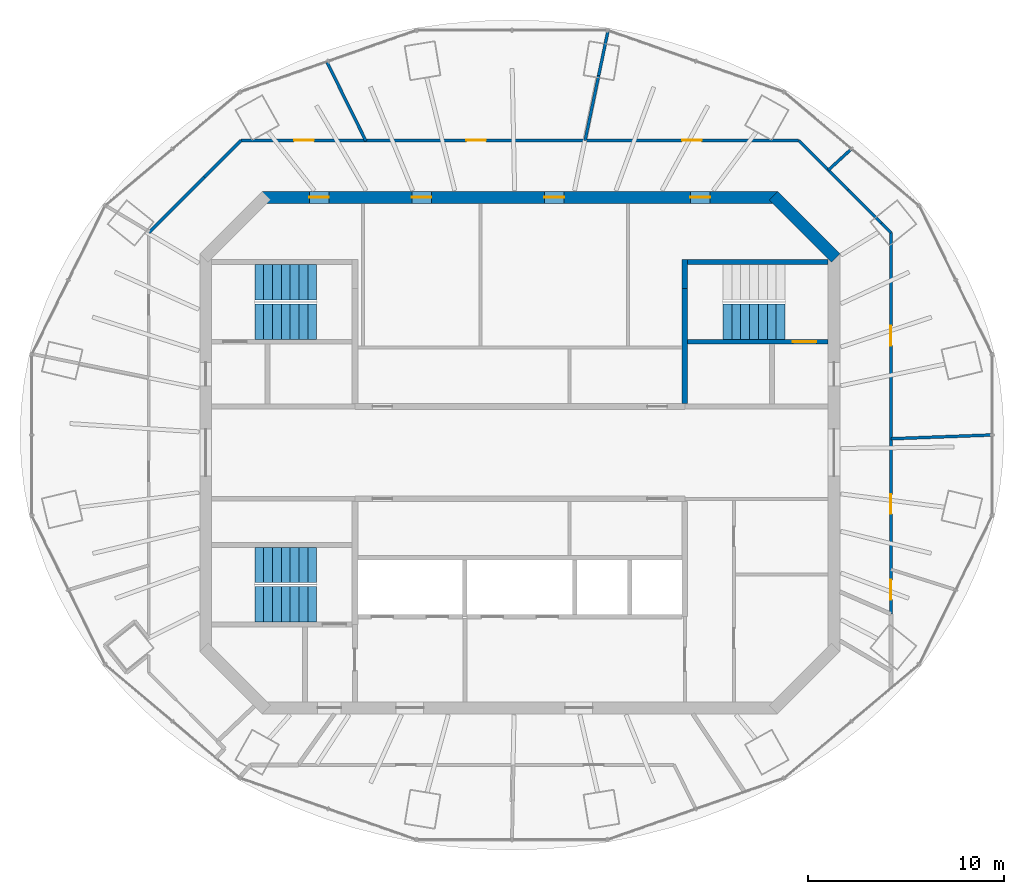
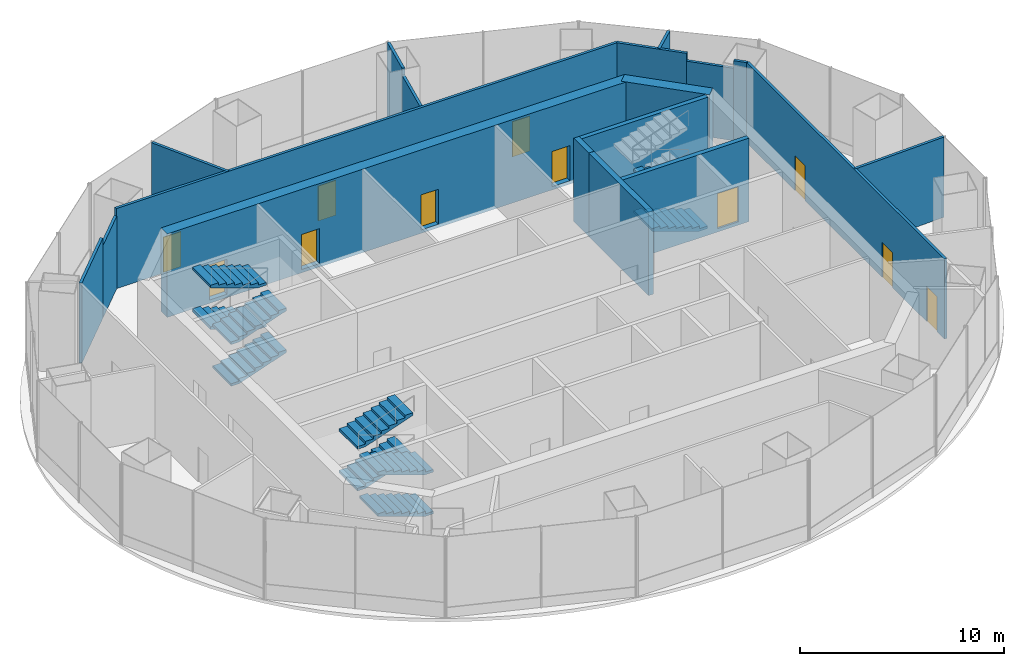
# One storey, part 10 of 12: 18 walls, 11 doors, 10 stair flights, 11 openings, 3 elements without a shape of their own.
"""IFC4 building model written with IfcOpenShell, lengths in metres."""

from ifc_helpers import new_model, si_unit, direction, frame, frame_2d, origin, place, context, subcontext, project, spatial, polyline, rectangle, outline, extrude, material, layer, layer_set, type_object, element, fill, aggregate, save


model = new_model("IFC4")

# Units and contexts
model_context = context("Model", 3, precision=1e-05, world=origin(), true_north=direction((0.0, 1.0)))
body_context = subcontext(model_context, "Body", "Model", "MODEL_VIEW")
ifc_project = project(units=[si_unit("LENGTHUNIT", "METRE"), si_unit("AREAUNIT", "SQUARE_METRE"), si_unit("VOLUMEUNIT", "CUBIC_METRE"), si_unit("PLANEANGLEUNIT", "RADIAN"), si_unit("MASSUNIT", "GRAM", prefix="KILO")], contexts=[model_context])

# Site, building, storey
site_placement = place(None, origin())
site = spatial("IfcSite", under=ifc_project, at=site_placement, CompositionType="ELEMENT")
building_placement = place(site_placement, origin())
building = spatial("IfcBuilding", under=site, at=building_placement, Name="Marenthal Gate Tower", CompositionType="ELEMENT")
storey_placement = place(building_placement, frame((0.0, 0.0, 413.550048828125)))
storey = spatial("IfcBuildingStorey", under=building, at=storey_placement, Name="L93", CompositionType="ELEMENT", Elevation=413.550048828125)

# Wall
ifc_material_1 = material(Name="Concrete 60 MPa", Category="concrete")
ifc_layer_1 = layer(ifc_material_1, 0.60009765625)
ifc_layer_set_1 = layer_set([ifc_layer_1], Name="Core shear wall 600")
wall_type_1 = type_object("IfcWallType", Name="Core shear wall 600", PredefinedType="SHEAR", material=ifc_layer_set_1)
wall_1_placement = place(storey_placement, frame((16.087890625, 9.912109375, -0.199951171875), z_axis=(0.0, 0.0, 1.0), x_axis=(-0.707106781187, 0.707106781187, 0.0)))
element("IfcWall", 1, at=wall_1_placement, inside=storey, type_object=wall_type_1, Name="Core wall 03", PredefinedType="SHEAR", context=body_context, shape_type="SweptSolid", body=[
    extrude(rectangle(XDim=4.4912109375, YDim=0.60009765625, at=frame_2d((2.24560546875, 0.0))), origin(), (0.0, 0.0, 1.0), 5.0),
])

# Wall, openings, doors
wall_2_placement = place(storey_placement, frame((13.124267578125, 13.0, -0.199951171875), z_axis=(0.0, 0.0, 1.0), x_axis=(-1.0, 0.0, 0.0)))
wall_2 = element("IfcWall", 2, at=wall_2_placement, inside=storey, type_object=wall_type_1, Name="Core wall 04", PredefinedType="SHEAR", context=body_context, shape_type="SweptSolid", body=[
    extrude(rectangle(XDim=26.24853515625, YDim=0.60009765625, at=frame_2d((13.124267578125, 0.0))), origin(), (0.0, 0.0, 1.0), 5.0),
])
opening_1_placement = place(wall_2_placement, frame((22.8486328125, 0.0, 0.199951171875)))
opening_1 = element("IfcOpeningElement", 3, at=opening_1_placement, cuts=wall_2, Name="Opening D005.03", PredefinedType="OPENING", context=body_context, shape_type="SweptSolid", body=[
    extrude(rectangle(XDim=1.0, YDim=2.10009765625, at=frame_2d((0.5, 1.050048828125))), frame((0.0, 0.31005859375, 0.0), z_axis=(0.0, -1.0, 0.0), x_axis=(1.0, 0.0, 0.0)), (0.0, 0.0, 1.0), 0.6201171875),
])
opening_2_placement = place(wall_2_placement, frame((17.624267578125, 0.0, 0.199951171875)))
opening_2 = element("IfcOpeningElement", 4, at=opening_2_placement, cuts=wall_2, Name="Opening D005.04", PredefinedType="OPENING", context=body_context, shape_type="SweptSolid", body=[
    extrude(rectangle(XDim=1.0, YDim=2.10009765625, at=frame_2d((0.5, 1.050048828125))), frame((0.0, 0.31005859375, 0.0), z_axis=(0.0, -1.0, 0.0), x_axis=(1.0, 0.0, 0.0)), (0.0, 0.0, 1.0), 0.6201171875),
])
opening_3_placement = place(wall_2_placement, frame((10.874267578125, 0.0, 0.199951171875)))
opening_3 = element("IfcOpeningElement", 5, at=opening_3_placement, cuts=wall_2, Name="Opening D005.05", PredefinedType="OPENING", context=body_context, shape_type="SweptSolid", body=[
    extrude(rectangle(XDim=1.0, YDim=2.10009765625, at=frame_2d((0.5, 1.050048828125))), frame((0.0, 0.31005859375, 0.0), z_axis=(0.0, -1.0, 0.0), x_axis=(1.0, 0.0, 0.0)), (0.0, 0.0, 1.0), 0.6201171875),
])
opening_4_placement = place(wall_2_placement, frame((3.436279296875, 0.0, 0.199951171875)))
opening_4 = element("IfcOpeningElement", 6, at=opening_4_placement, cuts=wall_2, Name="Opening D005.06", PredefinedType="OPENING", context=body_context, shape_type="SweptSolid", body=[
    extrude(rectangle(XDim=1.0, YDim=2.10009765625, at=frame_2d((0.5, 1.050048828125))), frame((0.0, 0.31005859375, 0.0), z_axis=(0.0, -1.0, 0.0), x_axis=(1.0, 0.0, 0.0)), (0.0, 0.0, 1.0), 0.6201171875),
])
ifc_material_2 = material(Name="Steel fire door", Category="steel")
door_type_1 = type_object("IfcDoorType", Name="Fire door FD 45 1000 x 2100", OperationType="NOTDEFINED", PredefinedType="DOOR", material=ifc_material_2)
door_1_placement = place(opening_1_placement, origin())
door_1 = element("IfcDoor", 7, at=door_1_placement, inside=storey, type_object=door_type_1, Name="Door D005.03", OperationType="SINGLE_SWING_RIGHT", OverallHeight=2.10009765625, OverallWidth=1.0, PredefinedType="DOOR", context=body_context, shape_type="SweptSolid", body=[
    extrude(rectangle(XDim=1.0, YDim=2.10009765625, at=frame_2d((0.5, 1.050048828125))), frame((0.0, 0.02490234375, 0.0), z_axis=(0.0, -1.0, 0.0), x_axis=(1.0, 0.0, 0.0)), (0.0, 0.0, 1.0), 0.050048828125),
])
fill(opening_1, door_1)
door_2_placement = place(opening_2_placement, origin())
door_2 = element("IfcDoor", 8, at=door_2_placement, inside=storey, type_object=door_type_1, Name="Door D005.04", OperationType="SINGLE_SWING_RIGHT", OverallHeight=2.10009765625, OverallWidth=1.0, PredefinedType="DOOR", context=body_context, shape_type="SweptSolid", body=[
    extrude(rectangle(XDim=1.0, YDim=2.10009765625, at=frame_2d((0.5, 1.050048828125))), frame((0.0, 0.02490234375, 0.0), z_axis=(0.0, -1.0, 0.0), x_axis=(1.0, 0.0, 0.0)), (0.0, 0.0, 1.0), 0.050048828125),
])
fill(opening_2, door_2)
door_3_placement = place(opening_3_placement, origin())
door_3 = element("IfcDoor", 9, at=door_3_placement, inside=storey, type_object=door_type_1, Name="Door D005.05", OperationType="SINGLE_SWING_RIGHT", OverallHeight=2.10009765625, OverallWidth=1.0, PredefinedType="DOOR", context=body_context, shape_type="SweptSolid", body=[
    extrude(rectangle(XDim=1.0, YDim=2.10009765625, at=frame_2d((0.5, 1.050048828125))), frame((0.0, 0.02490234375, 0.0), z_axis=(0.0, -1.0, 0.0), x_axis=(1.0, 0.0, 0.0)), (0.0, 0.0, 1.0), 0.050048828125),
])
fill(opening_3, door_3)
door_4_placement = place(opening_4_placement, origin())
door_4 = element("IfcDoor", 10, at=door_4_placement, inside=storey, type_object=door_type_1, Name="Door D005.06", OperationType="SINGLE_SWING_RIGHT", OverallHeight=2.10009765625, OverallWidth=1.0, PredefinedType="DOOR", context=body_context, shape_type="SweptSolid", body=[
    extrude(rectangle(XDim=1.0, YDim=2.10009765625, at=frame_2d((0.5, 1.050048828125))), frame((0.0, 0.02490234375, 0.0), z_axis=(0.0, -1.0, 0.0), x_axis=(1.0, 0.0, 0.0)), (0.0, 0.0, 1.0), 0.050048828125),
])
fill(opening_4, door_4)

# Wall
ifc_material_3 = material(Name="Concrete 50 MPa", Category="concrete")
ifc_layer_2 = layer(ifc_material_3, 0.300048828125)
ifc_layer_set_2 = layer_set([ifc_layer_2], Name="Hoistway shear wall 300")
wall_type_2 = type_object("IfcWallType", Name="Hoistway shear wall 300", PredefinedType="SHEAR", material=ifc_layer_set_2)
wall_3_placement = place(storey_placement, frame((8.39990234375, 2.5, -0.199951171875), z_axis=(0.0, 0.0, 1.0), x_axis=(0.0, 1.0, 0.0)))
element("IfcWall", 11, at=wall_3_placement, inside=storey, type_object=wall_type_2, Name="Hoistway wall 43", PredefinedType="SHEAR", context=body_context, shape_type="SweptSolid", body=[
    extrude(rectangle(XDim=5.85009765625, YDim=0.300048828125, at=frame_2d((2.925048828125, 0.0))), origin(), (0.0, 0.0, 1.0), 5.0),
])

# Wall, openings, doors
ifc_material_4 = material(Name="Gypsum board on steel studs", Category="steel")
ifc_layer_3 = layer(ifc_material_4, 0.14990234375)
ifc_layer_set_3 = layer_set([ifc_layer_3], Name="Partition 150")
wall_type_3 = type_object("IfcWallType", Name="Partition 150", PredefinedType="PARTITIONING", material=ifc_layer_set_3)
wall_4_placement = place(storey_placement, frame((-14.201416015625, 15.89990234375, 0.0), z_axis=(0.0, 0.0, 1.0), x_axis=(1.0, 0.0, 0.0)))
wall_4 = element("IfcWall", 12, at=wall_4_placement, inside=storey, type_object=wall_type_3, Name="Partition wall 48", PredefinedType="PARTITIONING", context=body_context, shape_type="SweptSolid", body=[
    extrude(rectangle(XDim=28.40283203125, YDim=0.14990234375, at=frame_2d((14.201416015625, 0.0))), origin(), (0.0, 0.0, 1.0), 4.800048828125),
])
opening_5_placement = place(wall_4_placement, frame((22.46337890625, 0.0, 0.0)))
opening_5 = element("IfcOpeningElement", 13, at=opening_5_placement, cuts=wall_4, Name="Opening D005.12", PredefinedType="OPENING", context=body_context, shape_type="SweptSolid", body=[
    extrude(rectangle(XDim=1.0, YDim=2.10009765625, at=frame_2d((0.5, 1.050048828125))), frame((0.0, 0.0849609375, 0.0), z_axis=(0.0, -1.0, 0.0), x_axis=(1.0, 0.0, 0.0)), (0.0, 0.0, 1.0), 0.169921875),
])
opening_6_placement = place(wall_4_placement, frame((11.471923828125, 0.0, 0.0)))
opening_6 = element("IfcOpeningElement", 14, at=opening_6_placement, cuts=wall_4, Name="Opening D005.13", PredefinedType="OPENING", context=body_context, shape_type="SweptSolid", body=[
    extrude(rectangle(XDim=1.0, YDim=2.10009765625, at=frame_2d((0.5, 1.050048828125))), frame((0.0, 0.0849609375, 0.0), z_axis=(0.0, -1.0, 0.0), x_axis=(1.0, 0.0, 0.0)), (0.0, 0.0, 1.0), 0.169921875),
])
opening_7_placement = place(wall_4_placement, frame((2.709716796875, 0.0, 0.0)))
opening_7 = element("IfcOpeningElement", 15, at=opening_7_placement, cuts=wall_4, Name="Opening D005.14", PredefinedType="OPENING", context=body_context, shape_type="SweptSolid", body=[
    extrude(rectangle(XDim=1.0, YDim=2.10009765625, at=frame_2d((0.5, 1.050048828125))), frame((0.0, 0.0849609375, 0.0), z_axis=(0.0, -1.0, 0.0), x_axis=(1.0, 0.0, 0.0)), (0.0, 0.0, 1.0), 0.169921875),
])
door_5_placement = place(opening_5_placement, origin())
door_5 = element("IfcDoor", 16, at=door_5_placement, inside=storey, type_object=door_type_1, Name="Door D005.12", OperationType="SINGLE_SWING_RIGHT", OverallHeight=2.10009765625, OverallWidth=1.0, PredefinedType="DOOR", context=body_context, shape_type="SweptSolid", body=[
    extrude(rectangle(XDim=1.0, YDim=2.10009765625, at=frame_2d((0.5, 1.050048828125))), frame((0.0, 0.02490234375, 0.0), z_axis=(0.0, -1.0, 0.0), x_axis=(1.0, 0.0, 0.0)), (0.0, 0.0, 1.0), 0.050048828125),
])
fill(opening_5, door_5)
door_6_placement = place(opening_6_placement, origin())
door_6 = element("IfcDoor", 17, at=door_6_placement, inside=storey, type_object=door_type_1, Name="Door D005.13", OperationType="SINGLE_SWING_RIGHT", OverallHeight=2.10009765625, OverallWidth=1.0, PredefinedType="DOOR", context=body_context, shape_type="SweptSolid", body=[
    extrude(rectangle(XDim=1.0, YDim=2.10009765625, at=frame_2d((0.5, 1.050048828125))), frame((0.0, 0.02490234375, 0.0), z_axis=(0.0, -1.0, 0.0), x_axis=(1.0, 0.0, 0.0)), (0.0, 0.0, 1.0), 0.050048828125),
])
fill(opening_6, door_6)
door_7_placement = place(opening_7_placement, origin())
door_7 = element("IfcDoor", 18, at=door_7_placement, inside=storey, type_object=door_type_1, Name="Door D005.14", OperationType="SINGLE_SWING_RIGHT", OverallHeight=2.10009765625, OverallWidth=1.0, PredefinedType="DOOR", context=body_context, shape_type="SweptSolid", body=[
    extrude(rectangle(XDim=1.0, YDim=2.10009765625, at=frame_2d((0.5, 1.050048828125))), frame((0.0, 0.02490234375, 0.0), z_axis=(0.0, -1.0, 0.0), x_axis=(1.0, 0.0, 0.0)), (0.0, 0.0, 1.0), 0.050048828125),
])
fill(opening_7, door_7)

# Walls
wall_5_placement = place(storey_placement, frame((18.89990234375, 0.70703125, 0.0), z_axis=(0.0, 0.0, 1.0), x_axis=(0.999299991519, 0.037410251951, 0.0)))
element("IfcWall", 19, at=wall_5_placement, inside=storey, type_object=wall_type_3, Name="Partition wall 49", PredefinedType="PARTITIONING", context=body_context, shape_type="SweptSolid", body=[
    extrude(rectangle(XDim=5.142578125, YDim=0.14990234375, at=frame_2d((2.5712890625, 0.0))), origin(), (0.0, 0.0, 1.0), 4.800048828125),
])
wall_6_placement = place(storey_placement, frame((15.711181640625, 14.39013671875, 0.0), z_axis=(0.0, 0.0, 1.0), x_axis=(0.737460947252, 0.675389777298, 0.0)))
element("IfcWall", 20, at=wall_6_placement, inside=storey, type_object=wall_type_3, Name="Partition wall 53", PredefinedType="PARTITIONING", context=body_context, shape_type="SweptSolid", body=[
    extrude(rectangle(XDim=1.585205078125, YDim=0.14990234375, at=frame_2d((0.79248046875, 0.0))), origin(), (0.0, 0.0, 1.0), 4.800048828125),
])
wall_7_placement = place(storey_placement, frame((-18.89990234375, 11.201171875, 0.0), z_axis=(0.0, 0.0, 1.0), x_axis=(0.707106781187, 0.707106781187, 0.0)))
element("IfcWall", 21, at=wall_7_placement, inside=storey, type_object=wall_type_3, Name="Partition wall 54", PredefinedType="PARTITIONING", context=body_context, shape_type="SweptSolid", body=[
    extrude(rectangle(XDim=3.998779296875, YDim=0.14990234375, at=frame_2d((1.99951171875, 0.0))), origin(), (0.0, 0.0, 1.0), 4.800048828125),
])
wall_8_placement = place(storey_placement, frame((-16.072265625, 14.02880859375, 0.0), z_axis=(0.0, 0.0, 1.0), x_axis=(0.707060644966, 0.707152914397, 0.0)))
element("IfcWall", 22, at=wall_8_placement, inside=storey, type_object=wall_type_3, Name="Partition wall 79", PredefinedType="PARTITIONING", context=body_context, shape_type="SweptSolid", body=[
    extrude(rectangle(XDim=2.64599609375, YDim=0.14990234375, at=frame_2d((1.322998046875, 0.0))), origin(), (0.0, 0.0, 1.0), 4.337890625),
])
wall_9_placement = place(storey_placement, frame((3.322998046875, 15.89990234375, 0.0), z_axis=(0.0, 0.0, 1.0), x_axis=(0.204534536933, 0.978859348018, 0.0)))
element("IfcWall", 23, at=wall_9_placement, inside=storey, type_object=wall_type_3, Name="Partition wall 55", PredefinedType="PARTITIONING", context=body_context, shape_type="SweptSolid", body=[
    extrude(rectangle(XDim=3.376708984375, YDim=0.14990234375, at=frame_2d((1.6884765625, 0.0))), origin(), (0.0, 0.0, 1.0), 4.383056640625),
])
wall_10_placement = place(storey_placement, frame((4.013671875, 19.205322265625, 0.0), z_axis=(0.0, 0.0, 1.0), x_axis=(0.204608200798, 0.978843952919, 0.0)))
element("IfcWall", 24, at=wall_10_placement, inside=storey, type_object=wall_type_3, Name="Partition wall 80", PredefinedType="PARTITIONING", context=body_context, shape_type="SweptSolid", body=[
    extrude(rectangle(XDim=2.32568359375, YDim=0.14990234375, at=frame_2d((1.162841796875, 0.0))), origin(), (0.0, 0.0, 1.0), 4.800048828125),
])

# Wall, openings, doors
wall_11_placement = place(storey_placement, frame((18.89990234375, -8.2158203125, 0.0), z_axis=(0.0, 0.0, 1.0), x_axis=(0.0, 1.0, 0.0)))
wall_11 = element("IfcWall", 25, at=wall_11_placement, inside=storey, type_object=wall_type_3, Name="Partition wall 57", PredefinedType="PARTITIONING", context=body_context, shape_type="SweptSolid", body=[
    extrude(rectangle(XDim=19.417236328125, YDim=0.14990234375, at=frame_2d((9.70849609375, 0.0))), origin(), (0.0, 0.0, 1.0), 4.800048828125),
])
opening_8_placement = place(wall_11_placement, frame((13.669921875, 0.0, 0.0)))
opening_8 = element("IfcOpeningElement", 26, at=opening_8_placement, cuts=wall_11, Name="Opening D005.11", PredefinedType="OPENING", context=body_context, shape_type="SweptSolid", body=[
    extrude(rectangle(XDim=1.0, YDim=2.10009765625, at=frame_2d((0.5, 1.050048828125))), frame((0.0, 0.0849609375, 0.0), z_axis=(0.0, -1.0, 0.0), x_axis=(1.0, 0.0, 0.0)), (0.0, 0.0, 1.0), 0.169921875),
])
opening_9_placement = place(wall_11_placement, frame((0.73046875, 0.0, 0.0)))
opening_9 = element("IfcOpeningElement", 27, at=opening_9_placement, cuts=wall_11, Name="Opening D005.20", PredefinedType="OPENING", context=body_context, shape_type="SweptSolid", body=[
    extrude(rectangle(XDim=1.0, YDim=2.10009765625, at=frame_2d((0.5, 1.050048828125))), frame((0.0, 0.0849609375, 0.0), z_axis=(0.0, -1.0, 0.0), x_axis=(1.0, 0.0, 0.0)), (0.0, 0.0, 1.0), 0.169921875),
])
opening_10_placement = place(wall_11_placement, frame((5.094482421875, 0.0, 0.0)))
opening_10 = element("IfcOpeningElement", 28, at=opening_10_placement, cuts=wall_11, Name="Opening D005.21", PredefinedType="OPENING", context=body_context, shape_type="SweptSolid", body=[
    extrude(rectangle(XDim=1.0, YDim=2.10009765625, at=frame_2d((0.5, 1.050048828125))), frame((0.0, 0.0849609375, 0.0), z_axis=(0.0, -1.0, 0.0), x_axis=(1.0, 0.0, 0.0)), (0.0, 0.0, 1.0), 0.169921875),
])
door_8_placement = place(opening_8_placement, frame((1.0, 0.0, 0.0), z_axis=(0.0, 0.0, 1.0), x_axis=(-1.0, 0.0, 0.0)))
door_8 = element("IfcDoor", 29, at=door_8_placement, inside=storey, type_object=door_type_1, Name="Door D005.11", OperationType="SINGLE_SWING_LEFT", OverallHeight=2.10009765625, OverallWidth=1.0, PredefinedType="DOOR", context=body_context, shape_type="SweptSolid", body=[
    extrude(rectangle(XDim=1.0, YDim=2.10009765625, at=frame_2d((0.5, 1.050048828125))), frame((0.0, 0.02490234375, 0.0), z_axis=(0.0, -1.0, 0.0), x_axis=(1.0, 0.0, 0.0)), (0.0, 0.0, 1.0), 0.050048828125),
])
fill(opening_8, door_8)
door_9_placement = place(opening_9_placement, frame((1.0, 0.0, 0.0), z_axis=(0.0, 0.0, 1.0), x_axis=(-1.0, 0.0, 0.0)))
door_9 = element("IfcDoor", 30, at=door_9_placement, inside=storey, type_object=door_type_1, Name="Door D005.20", OperationType="SINGLE_SWING_LEFT", OverallHeight=2.10009765625, OverallWidth=1.0, PredefinedType="DOOR", context=body_context, shape_type="SweptSolid", body=[
    extrude(rectangle(XDim=1.0, YDim=2.10009765625, at=frame_2d((0.5, 1.050048828125))), frame((0.0, 0.02490234375, 0.0), z_axis=(0.0, -1.0, 0.0), x_axis=(1.0, 0.0, 0.0)), (0.0, 0.0, 1.0), 0.050048828125),
])
fill(opening_9, door_9)
door_10_placement = place(opening_10_placement, frame((1.0, 0.0, 0.0), z_axis=(0.0, 0.0, 1.0), x_axis=(-1.0, 0.0, 0.0)))
door_10 = element("IfcDoor", 31, at=door_10_placement, inside=storey, type_object=door_type_1, Name="Door D005.21", OperationType="SINGLE_SWING_LEFT", OverallHeight=2.10009765625, OverallWidth=1.0, PredefinedType="DOOR", context=body_context, shape_type="SweptSolid", body=[
    extrude(rectangle(XDim=1.0, YDim=2.10009765625, at=frame_2d((0.5, 1.050048828125))), frame((0.0, 0.02490234375, 0.0), z_axis=(0.0, -1.0, 0.0), x_axis=(1.0, 0.0, 0.0)), (0.0, 0.0, 1.0), 0.050048828125),
])
fill(opening_10, door_10)

# Walls
wall_12_placement = place(storey_placement, frame((-7.839111328125, 15.87158203125, 0.0), z_axis=(0.0, 0.0, 1.0), x_axis=(-0.442805191424, 0.896617846381, 0.0)))
element("IfcWall", 32, at=wall_12_placement, inside=storey, type_object=wall_type_3, Name="Partition wall 61", PredefinedType="PARTITIONING", context=body_context, shape_type="SweptSolid", body=[
    extrude(rectangle(XDim=4.480224609375, YDim=0.14990234375, at=frame_2d((2.240234375, 0.0))), origin(), (0.0, 0.0, 1.0), 4.800048828125),
])
wall_13_placement = place(storey_placement, frame((18.89990234375, 11.201171875, 0.0), z_axis=(0.0, 0.0, 1.0), x_axis=(-0.707283756971, 0.706929761097, 0.0)))
element("IfcWall", 33, at=wall_13_placement, inside=storey, type_object=wall_type_3, Name="Partition wall 64", PredefinedType="PARTITIONING", context=body_context, shape_type="SweptSolid", body=[
    extrude(rectangle(XDim=0.689697265625, YDim=0.14990234375, at=frame_2d((0.3447265625, 0.0))), origin(), (0.0, 0.0, 1.0), 4.800048828125),
])
wall_14_placement = place(storey_placement, frame((18.412109375, 11.688720703125, 0.0), z_axis=(0.0, 0.0, 1.0), x_axis=(-0.707055831388, 0.707157727314, 0.0)))
element("IfcWall", 34, at=wall_14_placement, inside=storey, type_object=wall_type_3, Name="Partition wall 82", PredefinedType="PARTITIONING", context=body_context, shape_type="SweptSolid", body=[
    extrude(rectangle(XDim=2.39599609375, YDim=0.14990234375, at=frame_2d((1.197998046875, 0.0))), origin(), (0.0, 0.0, 1.0), 4.337890625),
])
wall_15_placement = place(storey_placement, frame((16.718017578125, 13.383056640625, 0.0), z_axis=(0.0, 0.0, 1.0), x_axis=(-0.70703818665, 0.707175369069, 0.0)))
element("IfcWall", 35, at=wall_15_placement, inside=storey, type_object=wall_type_3, Name="Partition wall 83", PredefinedType="PARTITIONING", context=body_context, shape_type="SweptSolid", body=[
    extrude(rectangle(XDim=3.559326171875, YDim=0.14990234375, at=frame_2d((1.77978515625, 0.0))), origin(), (0.0, 0.0, 1.0), 4.800048828125),
])

# Wall, opening, door
ifc_material_5 = material(Name="Concrete 50 MPa", Category="concrete")
ifc_layer_4 = layer(ifc_material_5, 0.25)
ifc_layer_set_4 = layer_set([ifc_layer_4], Name="Stair shear wall 250")
wall_type_4 = type_object("IfcWallType", Name="Stair shear wall 250", PredefinedType="SHEAR", material=ifc_layer_set_4)
wall_16_placement = place(storey_placement, frame((8.550048828125, 5.64990234375, -0.199951171875), z_axis=(0.0, 0.0, 1.0), x_axis=(1.0, 0.0, 0.0)))
wall_16 = element("IfcWall", 36, at=wall_16_placement, inside=storey, type_object=wall_type_4, Name="Stair wall 23", PredefinedType="SHEAR", context=body_context, shape_type="SweptSolid", body=[
    extrude(rectangle(XDim=7.14990234375, YDim=0.25, at=frame_2d((3.574951171875, 0.0))), origin(), (0.0, 0.0, 1.0), 5.0),
])
opening_11_placement = place(wall_16_placement, frame((5.35009765625, 0.0, 0.199951171875)))
opening_11 = element("IfcOpeningElement", 37, at=opening_11_placement, cuts=wall_16, Name="Opening D001.02", PredefinedType="OPENING", context=body_context, shape_type="SweptSolid", body=[
    extrude(rectangle(XDim=1.199951171875, YDim=2.10009765625, at=frame_2d((0.60009765625, 1.050048828125))), frame((0.0, 0.135009765625, 0.0), z_axis=(0.0, -1.0, 0.0), x_axis=(1.0, 0.0, 0.0)), (0.0, 0.0, 1.0), 0.27001953125),
])
ifc_material_6 = material(Name="Steel fire door", Category="steel")
door_type_2 = type_object("IfcDoorType", Name="Fire door FD 90 1200 x 2100", OperationType="NOTDEFINED", PredefinedType="DOOR", material=ifc_material_6)
door_11_placement = place(opening_11_placement, origin())
door_11 = element("IfcDoor", 38, at=door_11_placement, inside=storey, type_object=door_type_2, Name="Door D001.02", OperationType="SINGLE_SWING_RIGHT", OverallHeight=2.10009765625, OverallWidth=1.199951171875, PredefinedType="DOOR", context=body_context, shape_type="SweptSolid", body=[
    extrude(rectangle(XDim=1.199951171875, YDim=2.10009765625, at=frame_2d((0.60009765625, 1.050048828125))), frame((0.0, 0.02490234375, 0.0), z_axis=(0.0, -1.0, 0.0), x_axis=(1.0, 0.0, 0.0)), (0.0, 0.0, 1.0), 0.050048828125),
])
fill(opening_11, door_11)

# Walls
wall_17_placement = place(storey_placement, frame((8.550048828125, 9.699951171875, -0.199951171875), z_axis=(0.0, 0.0, 1.0), x_axis=(1.0, 0.0, 0.0)))
element("IfcWall", 39, at=wall_17_placement, inside=storey, type_object=wall_type_4, Name="Stair wall 25", PredefinedType="SHEAR", context=body_context, shape_type="SweptSolid", body=[
    extrude(rectangle(XDim=7.14990234375, YDim=0.25, at=frame_2d((3.574951171875, 0.0))), origin(), (0.0, 0.0, 1.0), 5.0),
])
ifc_material_7 = material(Name="Concrete 50 MPa", Category="concrete")
ifc_layer_5 = layer(ifc_material_7, 0.300048828125)
ifc_layer_set_5 = layer_set([ifc_layer_5], Name="Stair shear wall 300")
wall_type_5 = type_object("IfcWallType", Name="Stair shear wall 300", PredefinedType="SHEAR", material=ifc_layer_set_5)
wall_18_placement = place(storey_placement, frame((8.39990234375, 8.35009765625, -0.199951171875), z_axis=(0.0, 0.0, 1.0), x_axis=(0.0, 1.0, 0.0)))
element("IfcWall", 40, at=wall_18_placement, inside=storey, type_object=wall_type_5, Name="Stair wall 44", PredefinedType="SHEAR", context=body_context, shape_type="SweptSolid", body=[
    extrude(rectangle(XDim=1.474853515625, YDim=0.300048828125, at=frame_2d((0.7373046875, 0.0))), origin(), (0.0, 0.0, 1.0), 5.0),
])

# Stair, stair flights
ifc_material_8 = material(Name="Concrete 40 MPa", Category="concrete")
stair_type = type_object("IfcStairType", Name="Exit stair 1800", PredefinedType="HALF_TURN_STAIR", material=ifc_material_8)
stair_1_placement = place(storey_placement, origin())
stair_1 = element("IfcStair", 41, at=stair_1_placement, inside=storey, type_object=stair_type, Name="Stair ST1", PredefinedType="HALF_TURN_STAIR")
ifc_material_9 = material(Name="Concrete 40 MPa", Category="concrete")
stair_flight_type = type_object("IfcStairFlightType", Name="Stair flight 1800", PredefinedType="STRAIGHT", material=ifc_material_9)
stair_flight_1_placement = place(storey_placement, frame((-13.5, 6.675048828125, 0.0), z_axis=(0.0, 0.0, 1.0), x_axis=(1.0, 0.0, 0.0)))
stair_flight_1 = element("IfcStairFlight", 42, at=stair_flight_1_placement, type_object=stair_flight_type, Name="ST1 flight 1", NumberOfRisers=8, NumberOfTreads=7, PredefinedType="STRAIGHT", RiserHeight=0.15625, TreadLength=0.45, context=body_context, shape_type="SweptSolid", body=[
    extrude(outline(polyline([(0.0, 0.0), (0.0, 0.15625), (0.449951171875, 0.15625), (0.449951171875, 0.3125), (0.89990234375, 0.3125), (0.89990234375, 0.46875), (1.35009765625, 0.46875), (1.35009765625, 0.625), (1.800048828125, 0.625), (1.800048828125, 0.78125), (2.25, 0.78125), (2.25, 0.9375), (2.699951171875, 0.9375), (2.699951171875, 1.09375), (3.14990234375, 1.09375), (3.14990234375, 1.25), (3.14990234375, 0.93505859375), (0.45703125, 0.0), (0.0, 0.0)])), frame((0.0, 0.89990234375, 0.0), z_axis=(0.0, -1.0, 0.0), x_axis=(1.0, 0.0, 0.0)), (0.0, 0.0, 1.0), 1.800048828125),
])
stair_flight_2_placement = place(storey_placement, frame((-10.35009765625, 8.675048828125, 1.25), z_axis=(0.0, 0.0, 1.0), x_axis=(-1.0, 0.0, 0.0)))
stair_flight_2 = element("IfcStairFlight", 43, at=stair_flight_2_placement, type_object=stair_flight_type, Name="ST1 flight 2", NumberOfRisers=8, NumberOfTreads=7, PredefinedType="STRAIGHT", RiserHeight=0.15625, TreadLength=0.45, context=body_context, shape_type="SweptSolid", body=[
    extrude(outline(polyline([(0.0, 0.0), (0.0, 0.15625), (0.449951171875, 0.15625), (0.449951171875, 0.3125), (0.89990234375, 0.3125), (0.89990234375, 0.46875), (1.35009765625, 0.46875), (1.35009765625, 0.625), (1.800048828125, 0.625), (1.800048828125, 0.78125), (2.25, 0.78125), (2.25, 0.9375), (2.699951171875, 0.9375), (2.699951171875, 1.09375), (3.14990234375, 1.09375), (3.14990234375, 1.25), (3.14990234375, 0.93505859375), (0.45703125, 0.0), (0.0, 0.0)])), frame((0.0, 0.89990234375, 0.0), z_axis=(0.0, -1.0, 0.0), x_axis=(1.0, 0.0, 0.0)), (0.0, 0.0, 1.0), 1.800048828125),
])
stair_flight_3_placement = place(storey_placement, frame((-13.5, 6.675048828125, 2.5), z_axis=(0.0, 0.0, 1.0), x_axis=(1.0, 0.0, 0.0)))
stair_flight_3 = element("IfcStairFlight", 44, at=stair_flight_3_placement, type_object=stair_flight_type, Name="ST1 flight 3", NumberOfRisers=8, NumberOfTreads=7, PredefinedType="STRAIGHT", RiserHeight=0.15625, TreadLength=0.45, context=body_context, shape_type="SweptSolid", body=[
    extrude(outline(polyline([(0.0, 0.0), (0.0, 0.15625), (0.449951171875, 0.15625), (0.449951171875, 0.3125), (0.89990234375, 0.3125), (0.89990234375, 0.46875), (1.35009765625, 0.46875), (1.35009765625, 0.625), (1.800048828125, 0.625), (1.800048828125, 0.78125), (2.25, 0.78125), (2.25, 0.9375), (2.699951171875, 0.9375), (2.699951171875, 1.09375), (3.14990234375, 1.09375), (3.14990234375, 1.25), (3.14990234375, 0.93505859375), (0.45703125, 0.0), (0.0, 0.0)])), frame((0.0, 0.89990234375, 0.0), z_axis=(0.0, -1.0, 0.0), x_axis=(1.0, 0.0, 0.0)), (0.0, 0.0, 1.0), 1.800048828125),
])
stair_flight_4_placement = place(storey_placement, frame((-10.35009765625, 8.675048828125, 3.75), z_axis=(0.0, 0.0, 1.0), x_axis=(-1.0, 0.0, 0.0)))
stair_flight_4 = element("IfcStairFlight", 45, at=stair_flight_4_placement, type_object=stair_flight_type, Name="ST1 flight 4", NumberOfRisers=8, NumberOfTreads=7, PredefinedType="STRAIGHT", RiserHeight=0.15625, TreadLength=0.45, context=body_context, shape_type="SweptSolid", body=[
    extrude(outline(polyline([(0.0, 0.0), (0.0, 0.15625), (0.449951171875, 0.15625), (0.449951171875, 0.3125), (0.89990234375, 0.3125), (0.89990234375, 0.46875), (1.35009765625, 0.46875), (1.35009765625, 0.625), (1.800048828125, 0.625), (1.800048828125, 0.78125), (2.25, 0.78125), (2.25, 0.9375), (2.699951171875, 0.9375), (2.699951171875, 1.09375), (3.14990234375, 1.09375), (3.14990234375, 1.25), (3.14990234375, 0.93505859375), (0.45703125, 0.0), (0.0, 0.0)])), frame((0.0, 0.89990234375, 0.0), z_axis=(0.0, -1.0, 0.0), x_axis=(1.0, 0.0, 0.0)), (0.0, 0.0, 1.0), 1.800048828125),
])
aggregate(stair_1, [stair_flight_1, stair_flight_2, stair_flight_3, stair_flight_4])

stair_2_placement = place(storey_placement, origin())
stair_2 = element("IfcStair", 46, at=stair_2_placement, inside=storey, type_object=stair_type, Name="Stair ST2", PredefinedType="HALF_TURN_STAIR")
stair_flight_5_placement = place(storey_placement, frame((-10.35009765625, -7.72509765625, 0.0), z_axis=(0.0, 0.0, 1.0), x_axis=(-1.0, 0.0, 0.0)))
stair_flight_5 = element("IfcStairFlight", 47, at=stair_flight_5_placement, type_object=stair_flight_type, Name="ST2 flight 1", NumberOfRisers=8, NumberOfTreads=7, PredefinedType="STRAIGHT", RiserHeight=0.15625, TreadLength=0.45, context=body_context, shape_type="SweptSolid", body=[
    extrude(outline(polyline([(0.0, 0.0), (0.0, 0.15625), (0.449951171875, 0.15625), (0.449951171875, 0.3125), (0.89990234375, 0.3125), (0.89990234375, 0.46875), (1.35009765625, 0.46875), (1.35009765625, 0.625), (1.800048828125, 0.625), (1.800048828125, 0.78125), (2.25, 0.78125), (2.25, 0.9375), (2.699951171875, 0.9375), (2.699951171875, 1.09375), (3.14990234375, 1.09375), (3.14990234375, 1.25), (3.14990234375, 0.93505859375), (0.45703125, 0.0), (0.0, 0.0)])), frame((0.0, 0.89990234375, 0.0), z_axis=(0.0, -1.0, 0.0), x_axis=(1.0, 0.0, 0.0)), (0.0, 0.0, 1.0), 1.800048828125),
])
stair_flight_6_placement = place(storey_placement, frame((-13.5, -5.72509765625, 1.25), z_axis=(0.0, 0.0, 1.0), x_axis=(1.0, 0.0, 0.0)))
stair_flight_6 = element("IfcStairFlight", 48, at=stair_flight_6_placement, type_object=stair_flight_type, Name="ST2 flight 2", NumberOfRisers=8, NumberOfTreads=7, PredefinedType="STRAIGHT", RiserHeight=0.15625, TreadLength=0.45, context=body_context, shape_type="SweptSolid", body=[
    extrude(outline(polyline([(0.0, 0.0), (0.0, 0.15625), (0.449951171875, 0.15625), (0.449951171875, 0.3125), (0.89990234375, 0.3125), (0.89990234375, 0.46875), (1.35009765625, 0.46875), (1.35009765625, 0.625), (1.800048828125, 0.625), (1.800048828125, 0.78125), (2.25, 0.78125), (2.25, 0.9375), (2.699951171875, 0.9375), (2.699951171875, 1.09375), (3.14990234375, 1.09375), (3.14990234375, 1.25), (3.14990234375, 0.93505859375), (0.45703125, 0.0), (0.0, 0.0)])), frame((0.0, 0.89990234375, 0.0), z_axis=(0.0, -1.0, 0.0), x_axis=(1.0, 0.0, 0.0)), (0.0, 0.0, 1.0), 1.800048828125),
])
stair_flight_7_placement = place(storey_placement, frame((-10.35009765625, -7.72509765625, 2.5), z_axis=(0.0, 0.0, 1.0), x_axis=(-1.0, 0.0, 0.0)))
stair_flight_7 = element("IfcStairFlight", 49, at=stair_flight_7_placement, type_object=stair_flight_type, Name="ST2 flight 3", NumberOfRisers=8, NumberOfTreads=7, PredefinedType="STRAIGHT", RiserHeight=0.15625, TreadLength=0.45, context=body_context, shape_type="SweptSolid", body=[
    extrude(outline(polyline([(0.0, 0.0), (0.0, 0.15625), (0.449951171875, 0.15625), (0.449951171875, 0.3125), (0.89990234375, 0.3125), (0.89990234375, 0.46875), (1.35009765625, 0.46875), (1.35009765625, 0.625), (1.800048828125, 0.625), (1.800048828125, 0.78125), (2.25, 0.78125), (2.25, 0.9375), (2.699951171875, 0.9375), (2.699951171875, 1.09375), (3.14990234375, 1.09375), (3.14990234375, 1.25), (3.14990234375, 0.93505859375), (0.45703125, 0.0), (0.0, 0.0)])), frame((0.0, 0.89990234375, 0.0), z_axis=(0.0, -1.0, 0.0), x_axis=(1.0, 0.0, 0.0)), (0.0, 0.0, 1.0), 1.800048828125),
])
stair_flight_8_placement = place(storey_placement, frame((-13.5, -5.72509765625, 3.75), z_axis=(0.0, 0.0, 1.0), x_axis=(1.0, 0.0, 0.0)))
stair_flight_8 = element("IfcStairFlight", 50, at=stair_flight_8_placement, type_object=stair_flight_type, Name="ST2 flight 4", NumberOfRisers=8, NumberOfTreads=7, PredefinedType="STRAIGHT", RiserHeight=0.15625, TreadLength=0.45, context=body_context, shape_type="SweptSolid", body=[
    extrude(outline(polyline([(0.0, 0.0), (0.0, 0.15625), (0.449951171875, 0.15625), (0.449951171875, 0.3125), (0.89990234375, 0.3125), (0.89990234375, 0.46875), (1.35009765625, 0.46875), (1.35009765625, 0.625), (1.800048828125, 0.625), (1.800048828125, 0.78125), (2.25, 0.78125), (2.25, 0.9375), (2.699951171875, 0.9375), (2.699951171875, 1.09375), (3.14990234375, 1.09375), (3.14990234375, 1.25), (3.14990234375, 0.93505859375), (0.45703125, 0.0), (0.0, 0.0)])), frame((0.0, 0.89990234375, 0.0), z_axis=(0.0, -1.0, 0.0), x_axis=(1.0, 0.0, 0.0)), (0.0, 0.0, 1.0), 1.800048828125),
])
aggregate(stair_2, [stair_flight_5, stair_flight_6, stair_flight_7, stair_flight_8])

stair_3_placement = place(storey_placement, origin())
stair_3 = element("IfcStair", 51, at=stair_3_placement, inside=storey, type_object=stair_type, Name="Stair ST3", PredefinedType="HALF_TURN_STAIR")
stair_flight_9_placement = place(storey_placement, frame((13.5, 6.675048828125, 0.0), z_axis=(0.0, 0.0, 1.0), x_axis=(-1.0, 0.0, 0.0)))
stair_flight_9 = element("IfcStairFlight", 52, at=stair_flight_9_placement, type_object=stair_flight_type, Name="ST3 flight 1", NumberOfRisers=8, NumberOfTreads=7, PredefinedType="STRAIGHT", RiserHeight=0.15625, TreadLength=0.45, context=body_context, shape_type="SweptSolid", body=[
    extrude(outline(polyline([(0.0, 0.0), (0.0, 0.15625), (0.449951171875, 0.15625), (0.449951171875, 0.3125), (0.89990234375, 0.3125), (0.89990234375, 0.46875), (1.35009765625, 0.46875), (1.35009765625, 0.625), (1.800048828125, 0.625), (1.800048828125, 0.78125), (2.25, 0.78125), (2.25, 0.9375), (2.699951171875, 0.9375), (2.699951171875, 1.09375), (3.14990234375, 1.09375), (3.14990234375, 1.25), (3.14990234375, 0.93505859375), (0.45703125, 0.0), (0.0, 0.0)])), frame((0.0, 0.89990234375, 0.0), z_axis=(0.0, -1.0, 0.0), x_axis=(1.0, 0.0, 0.0)), (0.0, 0.0, 1.0), 1.800048828125),
])
stair_flight_10_placement = place(storey_placement, frame((13.5, 6.675048828125, 2.5), z_axis=(0.0, 0.0, 1.0), x_axis=(-1.0, 0.0, 0.0)))
stair_flight_10 = element("IfcStairFlight", 53, at=stair_flight_10_placement, type_object=stair_flight_type, Name="ST3 flight 3", NumberOfRisers=8, NumberOfTreads=7, PredefinedType="STRAIGHT", RiserHeight=0.15625, TreadLength=0.45, context=body_context, shape_type="SweptSolid", body=[
    extrude(outline(polyline([(0.0, 0.0), (0.0, 0.15625), (0.449951171875, 0.15625), (0.449951171875, 0.3125), (0.89990234375, 0.3125), (0.89990234375, 0.46875), (1.35009765625, 0.46875), (1.35009765625, 0.625), (1.800048828125, 0.625), (1.800048828125, 0.78125), (2.25, 0.78125), (2.25, 0.9375), (2.699951171875, 0.9375), (2.699951171875, 1.09375), (3.14990234375, 1.09375), (3.14990234375, 1.25), (3.14990234375, 0.93505859375), (0.45703125, 0.0), (0.0, 0.0)])), frame((0.0, 0.89990234375, 0.0), z_axis=(0.0, -1.0, 0.0), x_axis=(1.0, 0.0, 0.0)), (0.0, 0.0, 1.0), 1.800048828125),
])
aggregate(stair_3, [stair_flight_9, stair_flight_10])

save(model, "model.ifc")
